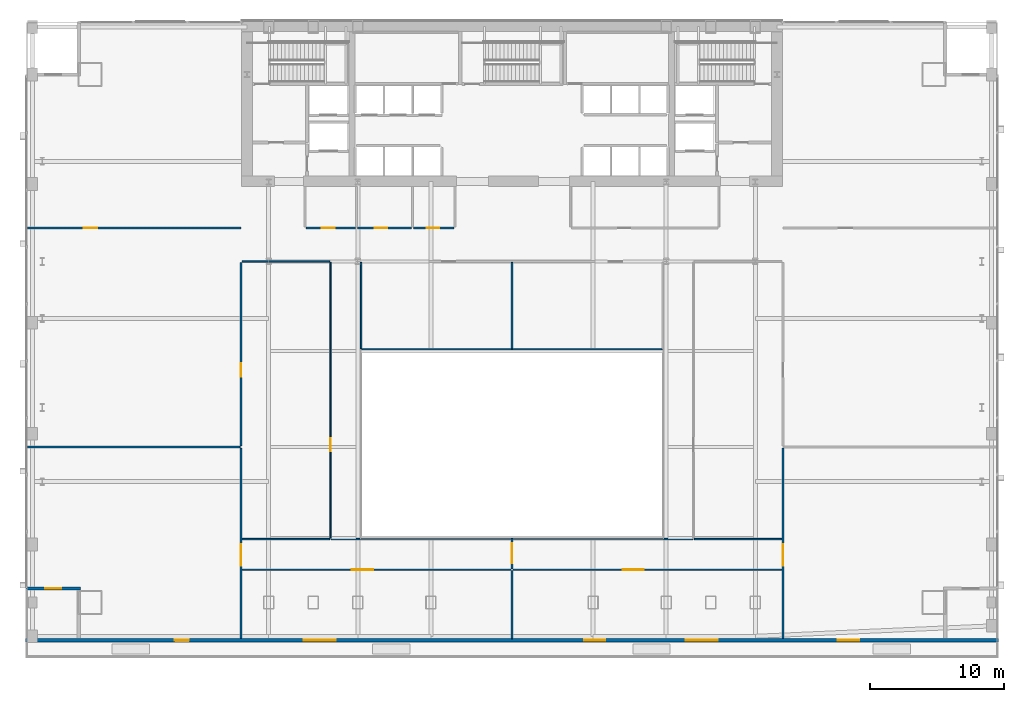
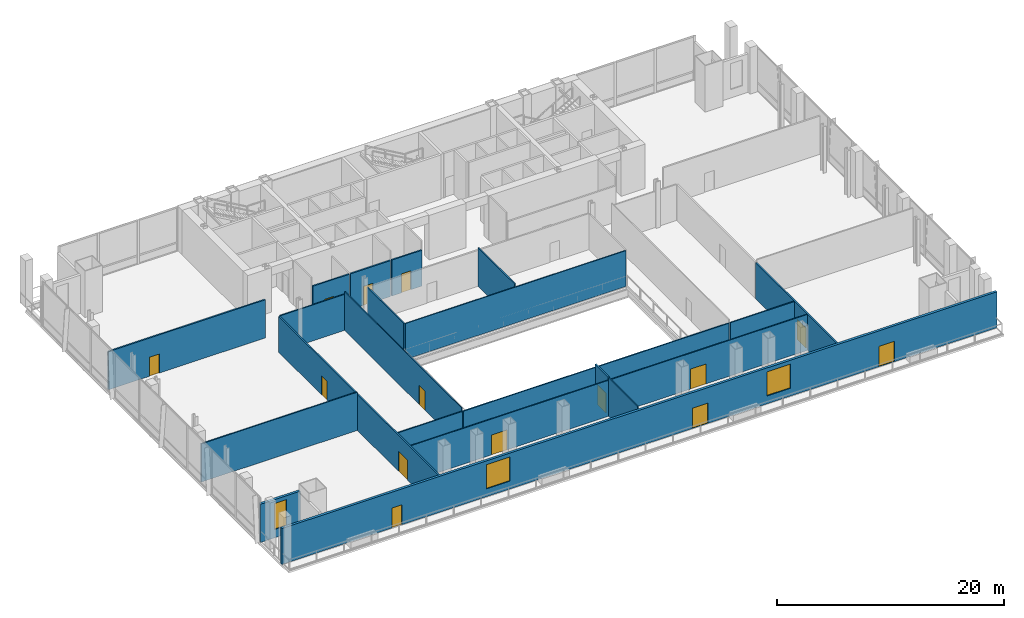
# One storey, part 19 of 25: 22 walls, 14 doors, 3 windows, 17 openings.
"""IFC4 building model written with IfcOpenShell, lengths in metres."""

import ifcopenshell
import ifcopenshell.guid

model = None  # the IFC model being written
_history = None  # IfcOwnerHistory: only IFC2X3 demands one
_inside = {}  # id of a spatial element -> (the spatial element, [elements in it])
_under = {}  # id of a project, library or spatial element -> (it, [spatial elements below it])
_declared = {}  # id of a project -> (the project, [libraries it declares])
_typed = {}  # id of a type object -> (the type object, [elements of that type])
_made_of = {}  # id of a material, layer set ... -> (it, [elements and type objects made of it])


def new_model(schema):
    """Start an empty IFC model of exactly this schema.

    Asked for "IFC4X3", IfcOpenShell would pick the latest addendum, in which some entities
    have other attributes; the version numbers below select the first issue.
    IFC2X3 requires an IfcOwnerHistory on every rooted entity: one is made here for all.
    """
    global model, _history
    if schema == "IFC4X3":
        model = ifcopenshell.file(schema_version=(4, 3, 0, 0))
    else:
        model = ifcopenshell.file(schema=schema)
    _inside.clear()
    _under.clear()
    _declared.clear()
    _typed.clear()
    _made_of.clear()
    _history = None
    if model.schema == "IFC2X3":
        org = make("IfcOrganization", Name="unknown")
        user = make(
            "IfcPersonAndOrganization",
            ThePerson=make("IfcPerson", FamilyName="unknown"),
            TheOrganization=org,
        )
        app = make(
            "IfcApplication",
            ApplicationDeveloper=org,
            Version="unknown",
            ApplicationFullName="unknown",
            ApplicationIdentifier="unknown",
        )
        _history = make(
            "IfcOwnerHistory",
            OwningUser=user,
            OwningApplication=app,
            ChangeAction="ADDED",
            CreationDate=0,
        )
    return model


def make(cls, **values):
    """One entity of the class cls with the attributes given. An attribute that is None is left unset."""
    return model.create_entity(
        cls, **{name: value for name, value in values.items() if value is not None}
    )


def rooted(cls, **values):
    """An entity with a GlobalId (a new one), such as an element, a storey or a relation."""
    return make(cls, GlobalId=ifcopenshell.guid.new(), OwnerHistory=_history, **values)


def si_unit(unit_type, name, prefix=None):
    """IfcSIUnit, for example si_unit("LENGTHUNIT", "METRE", prefix="MILLI")."""
    return make("IfcSIUnit", UnitType=unit_type, Prefix=prefix, Name=name)


def assignment(units):
    """IfcUnitAssignment: the units of a project."""
    return None if units is None else make("IfcUnitAssignment", Units=units)


def point(xyz):
    """IfcCartesianPoint."""
    return None if xyz is None else make("IfcCartesianPoint", Coordinates=xyz)


def direction(xyz):
    """IfcDirection."""
    return None if xyz is None else make("IfcDirection", DirectionRatios=xyz)


def frame(location, z_axis=None, x_axis=None):
    """IfcAxis2Placement3D, a coordinate frame: its origin and axes. An axis left out is left unset."""
    return make(
        "IfcAxis2Placement3D",
        Location=point(location),
        Axis=direction(z_axis),
        RefDirection=direction(x_axis),
    )


def frame_2d(location, x_axis=None):
    """IfcAxis2Placement2D, a coordinate frame in the plane: its origin and x axis."""
    return make(
        "IfcAxis2Placement2D", Location=point(location), RefDirection=direction(x_axis)
    )


def origin():
    """The frame at (0, 0, 0) with its axes left unset."""
    return frame((0.0, 0.0, 0.0))


def place(relative_to, where):
    """IfcLocalPlacement: puts the frame where relative to a parent placement (None: the world)."""
    return make(
        "IfcLocalPlacement", PlacementRelTo=relative_to, RelativePlacement=where
    )


def context(
    kind, dimensions, precision=None, world=None, true_north=None, identifier=None
):
    """IfcGeometricRepresentationContext, for example the 3D "Model" context."""
    return make(
        "IfcGeometricRepresentationContext",
        ContextIdentifier=identifier,
        ContextType=kind,
        CoordinateSpaceDimension=dimensions,
        Precision=precision,
        WorldCoordinateSystem=world,
        TrueNorth=true_north,
    )


def subcontext(parent, identifier, kind, view, scale=None):
    """IfcGeometricRepresentationSubContext, for example "Body" below "Model"."""
    return make(
        "IfcGeometricRepresentationSubContext",
        ContextIdentifier=identifier,
        ContextType=kind,
        ParentContext=parent,
        TargetScale=scale,
        TargetView=view,
    )


def project(units=None, contexts=None):
    """IfcProject with its units and contexts."""
    return rooted(
        "IfcProject",
        Name="project",
        RepresentationContexts=contexts,
        UnitsInContext=assignment(units),
    )


def spatial(cls, under=None, at=None, **own):
    """A site, building, storey or space (cls), placed at a placement, below another one or the project."""
    s = rooted(cls, ObjectPlacement=at, **own)
    if under is not None:
        _under.setdefault(under.id(), (under, []))[1].append(s)
    return s


def profile(cls, at=None, kind="AREA", **sizes):
    """A parametric profile (cls). Its sizes go by their IFC names, for example OverallWidth=200.0."""
    return make(cls, ProfileType=kind, Position=at, **sizes)


def rectangle(**sizes):
    """IfcRectangleProfileDef."""
    return profile("IfcRectangleProfileDef", **sizes)


def extrude(swept, where, along, depth):
    """IfcExtrudedAreaSolid: the profile swept, set in the frame where, extruded along a direction by depth."""
    return make(
        "IfcExtrudedAreaSolid",
        SweptArea=swept,
        Position=where,
        ExtrudedDirection=direction(along),
        Depth=depth,
    )


def shape(context_of_items, identifier, shape_type, items):
    """IfcShapeRepresentation: the items that make up one representation, for example the "Body"."""
    return make(
        "IfcShapeRepresentation",
        ContextOfItems=context_of_items,
        RepresentationIdentifier=identifier,
        RepresentationType=shape_type,
        Items=items,
    )


def material(Name=None, Category=None):
    """IfcMaterial."""
    return make("IfcMaterial", Name=Name, Category=Category)


def layer(
    of_material, thickness, ventilated=None, Name=None, Category=None, Priority=None
):
    """IfcMaterialLayer: one layer of a wall or slab, of a material (None: an air gap)."""
    return make(
        "IfcMaterialLayer",
        Material=of_material,
        LayerThickness=thickness,
        IsVentilated=ventilated,
        Name=Name,
        Category=Category,
        Priority=Priority,
    )


def layer_set(layers, Name=None):
    """IfcMaterialLayerSet."""
    return make("IfcMaterialLayerSet", MaterialLayers=layers, LayerSetName=Name)


def made_of(thing, what):
    """Note that an element or type object is made of a material, layer set ...; save() writes the relation."""
    if what is not None:
        _made_of.setdefault(what.id(), (what, []))[1].append(thing)
    return thing


def type_object(cls, material=None, **own):
    """A type object (cls), such as IfcWallType, which elements share."""
    return made_of(rooted(cls, **own), material)


def element(
    cls,
    number,
    at=None,
    inside=None,
    cuts=None,
    type_object=None,
    material=None,
    context=None,
    identifier="Body",
    shape_type=None,
    held_by="IfcProductDefinitionShape",
    body=None,
    shapes=None,
    **own,
):
    """One element of the class cls, such as IfcWall. Its Tag is "e" and its number.

    at: its placement. inside: the storey or other place that contains it. cuts: it is an
    opening in that element (IfcRelVoidsElement). A single representation is given by context,
    identifier, shape_type and body (its items); several are given by shapes. held_by: the class
    of the entity that holds the representations. save() writes the other relations.
    """
    e = rooted(cls, Tag="e%d" % number, ObjectPlacement=at, **own)
    if body is not None:
        shapes = [shape(context, identifier, shape_type, body)]
    if shapes is not None:
        e.Representation = make(held_by, Representations=shapes)
    if inside is not None:
        _inside.setdefault(inside.id(), (inside, []))[1].append(e)
    if cuts is not None:
        rooted(
            "IfcRelVoidsElement", RelatingBuildingElement=cuts, RelatedOpeningElement=e
        )
    if type_object is not None:
        _typed.setdefault(type_object.id(), (type_object, []))[1].append(e)
    return made_of(e, material)


def fill(opening, filler):
    """IfcRelFillsElement: the door or window that sits in an opening."""
    return rooted(
        "IfcRelFillsElement",
        RelatingOpeningElement=opening,
        RelatedBuildingElement=filler,
    )


def aggregate(whole, parts):
    """IfcRelAggregates: a whole, such as a stair, and the parts it consists of."""
    return rooted("IfcRelAggregates", RelatingObject=whole, RelatedObjects=parts)


def save(model, path):
    """Write the relations noted so far, then the file.

    IfcRelAggregates (storeys below a building ...), IfcRelContainedInSpatialStructure (elements
    in a storey), IfcRelDefinesByType, IfcRelAssociatesMaterial and IfcRelDeclares: one each for
    every whole, place, type object, material and project.
    """
    for whole, parts in _under.values():
        aggregate(whole, parts)
    for where, things in _inside.values():
        rooted(
            "IfcRelContainedInSpatialStructure",
            RelatedElements=things,
            RelatingStructure=where,
        )
    for kind, things in _typed.values():
        rooted("IfcRelDefinesByType", RelatedObjects=things, RelatingType=kind)
    for what, things in _made_of.values():
        rooted("IfcRelAssociatesMaterial", RelatedObjects=things, RelatingMaterial=what)
    for by, libraries in _declared.values():
        rooted("IfcRelDeclares", RelatingContext=by, RelatedDefinitions=libraries)
    model.write(path)


model = new_model("IFC4")

# Units and contexts
model_context = context("Model", 3, precision=1e-05, world=origin(), true_north=direction((0.0, 1.0)))
body_context = subcontext(model_context, "Body", "Model", "MODEL_VIEW")
ifc_project = project(units=[si_unit("LENGTHUNIT", "METRE"), si_unit("AREAUNIT", "SQUARE_METRE"), si_unit("VOLUMEUNIT", "CUBIC_METRE"), si_unit("PLANEANGLEUNIT", "RADIAN"), si_unit("MASSUNIT", "GRAM", prefix="KILO")], contexts=[model_context])

# Site, building, storey
site_placement = place(None, origin())
site = spatial("IfcSite", under=ifc_project, at=site_placement, CompositionType="ELEMENT")
building_placement = place(site_placement, origin())
building = spatial("IfcBuilding", under=site, at=building_placement, Name="Khoronbel Lancet Exchange", CompositionType="ELEMENT")
storey_placement = place(building_placement, frame((0.0, 0.0, 15.39990234375)))
storey = spatial("IfcBuildingStorey", under=building, at=storey_placement, Name="L03", CompositionType="ELEMENT", Elevation=15.39990234375)

# Wall, openings, doors, windows
ifc_material_1 = material(Name="Precast concrete C40/50", Category="concrete")
ifc_layer_1 = layer(ifc_material_1, 0.25, Name="Precast concrete C40/50")
ifc_layer_set_1 = layer_set([ifc_layer_1], Name="Precast concrete C40/50")
wall_type_1 = type_object("IfcWallType", Name="WL-EXT250", PredefinedType="SOLIDWALL", material=ifc_layer_set_1)
wall_1_placement = place(storey_placement, frame((72.89990234375, 7.324951171875, 0.0), z_axis=(0.0, 0.0, 1.0), x_axis=(-1.0, 0.0, 0.0)))
wall_1 = element("IfcWall", 1, at=wall_1_placement, inside=storey, type_object=wall_type_1, Name="Level L03 cascading south garden terrace wall", PredefinedType="SOLIDWALL", context=body_context, shape_type="SweptSolid", body=[
    extrude(rectangle(XDim=72.89990234375, YDim=0.25, at=frame_2d((36.449951171875, 0.0))), origin(), (0.0, 0.0, 1.0), 3.8701171875),
])
opening_1_placement = place(wall_1_placement, frame((10.449951171875, 0.0, 0.0)))
opening_1 = element("IfcOpeningElement", 2, at=opening_1_placement, cuts=wall_1, Name="Opening TD1", PredefinedType="OPENING", context=body_context, shape_type="SweptSolid", body=[
    extrude(rectangle(XDim=1.60009765625, YDim=2.199951171875, at=frame_2d((0.800048828125, 1.10009765625))), frame((0.0, 0.135009765625, 0.0), z_axis=(0.0, -1.0, 0.0), x_axis=(1.0, 0.0, 0.0)), (0.0, 0.0, 1.0), 0.27001953125),
])
opening_2_placement = place(wall_1_placement, frame((29.449951171875, 0.0, 0.0)))
opening_2 = element("IfcOpeningElement", 3, at=opening_2_placement, cuts=wall_1, Name="Opening TD1", PredefinedType="OPENING", context=body_context, shape_type="SweptSolid", body=[
    extrude(rectangle(XDim=1.60009765625, YDim=2.199951171875, at=frame_2d((0.800048828125, 1.10009765625))), frame((0.0, 0.135009765625, 0.0), z_axis=(0.0, -1.0, 0.0), x_axis=(1.0, 0.0, 0.0)), (0.0, 0.0, 1.0), 0.27001953125),
])
opening_3_placement = place(wall_1_placement, frame((60.64990234375, 0.0, 0.0)))
opening_3 = element("IfcOpeningElement", 4, at=opening_3_placement, cuts=wall_1, Name="Opening TD2", PredefinedType="OPENING", context=body_context, shape_type="SweptSolid", body=[
    extrude(rectangle(XDim=1.050048828125, YDim=2.14990234375, at=frame_2d((0.52490234375, 1.074951171875))), frame((0.0, 0.135009765625, 0.0), z_axis=(0.0, -1.0, 0.0), x_axis=(1.0, 0.0, 0.0)), (0.0, 0.0, 1.0), 0.27001953125),
])
opening_4_placement = place(wall_1_placement, frame((21.050048828125, 0.0, 0.85009765625)))
opening_4 = element("IfcOpeningElement", 5, at=opening_4_placement, cuts=wall_1, Name="Opening W3", PredefinedType="OPENING", context=body_context, shape_type="SweptSolid", body=[
    extrude(rectangle(XDim=2.39990234375, YDim=2.60009765625, at=frame_2d((1.199951171875, 1.300048828125))), frame((0.0, 0.135009765625, 0.0), z_axis=(0.0, -1.0, 0.0), x_axis=(1.0, 0.0, 0.0)), (0.0, 0.0, 1.0), 0.27001953125),
])
opening_5_placement = place(wall_1_placement, frame((49.64990234375, 0.0, 0.85009765625)))
opening_5 = element("IfcOpeningElement", 6, at=opening_5_placement, cuts=wall_1, Name="Opening W3", PredefinedType="OPENING", context=body_context, shape_type="SweptSolid", body=[
    extrude(rectangle(XDim=2.39990234375, YDim=2.60009765625, at=frame_2d((1.199951171875, 1.300048828125))), frame((0.0, 0.135009765625, 0.0), z_axis=(0.0, -1.0, 0.0), x_axis=(1.0, 0.0, 0.0)), (0.0, 0.0, 1.0), 0.27001953125),
])
ifc_material_2 = material(Name="Glazed Bronze-Anodised Aluminium Door Assembly", Category="aluminium")
door_type_1 = type_object("IfcDoorType", Name="DR-TD1", OperationType="NOTDEFINED", PredefinedType="DOOR", material=ifc_material_2)
door_1_placement = place(opening_1_placement, origin())
door_1 = element("IfcDoor", 7, at=door_1_placement, inside=storey, type_object=door_type_1, Name="Level L03 east garden terrace door", OperationType="DOUBLE_DOOR_SINGLE_SWING", OverallHeight=2.199951171875, OverallWidth=1.60009765625, PredefinedType="DOOR", context=body_context, shape_type="SweptSolid", body=[
    extrude(rectangle(XDim=1.60009765625, YDim=2.199951171875, at=frame_2d((0.800048828125, 1.10009765625))), frame((0.0, 0.02490234375, 0.0), z_axis=(0.0, -1.0, 0.0), x_axis=(1.0, 0.0, 0.0)), (0.0, 0.0, 1.0), 0.050048828125),
])
fill(opening_1, door_1)
door_2_placement = place(opening_2_placement, origin())
door_2 = element("IfcDoor", 8, at=door_2_placement, inside=storey, type_object=door_type_1, Name="Level L03 central garden terrace door", OperationType="DOUBLE_DOOR_SINGLE_SWING", OverallHeight=2.199951171875, OverallWidth=1.60009765625, PredefinedType="DOOR", context=body_context, shape_type="SweptSolid", body=[
    extrude(rectangle(XDim=1.60009765625, YDim=2.199951171875, at=frame_2d((0.800048828125, 1.10009765625))), frame((0.0, 0.02490234375, 0.0), z_axis=(0.0, -1.0, 0.0), x_axis=(1.0, 0.0, 0.0)), (0.0, 0.0, 1.0), 0.050048828125),
])
fill(opening_2, door_2)
door_type_2 = type_object("IfcDoorType", Name="DR-TD2", OperationType="NOTDEFINED", PredefinedType="DOOR", material=ifc_material_2)
door_3_placement = place(opening_3_placement, origin())
door_3 = element("IfcDoor", 9, at=door_3_placement, inside=storey, type_object=door_type_2, Name="Level L03 west garden terrace door", OperationType="SINGLE_SWING_LEFT", OverallHeight=2.14990234375, OverallWidth=1.050048828125, PredefinedType="DOOR", context=body_context, shape_type="SweptSolid", body=[
    extrude(rectangle(XDim=1.050048828125, YDim=2.14990234375, at=frame_2d((0.52490234375, 1.074951171875))), frame((0.0, 0.02490234375, 0.0), z_axis=(0.0, -1.0, 0.0), x_axis=(1.0, 0.0, 0.0)), (0.0, 0.0, 1.0), 0.050048828125),
])
fill(opening_3, door_3)
ifc_material_3 = material(Name="Low-E Solar Control Insulating Glass", Category="glass")
window_type_1 = type_object("IfcWindowType", Name="WIN-W3", PartitioningType="SINGLE_PANEL", PredefinedType="WINDOW", material=ifc_material_3)
window_1_placement = place(opening_4_placement, origin())
window_1 = element("IfcWindow", 10, at=window_1_placement, inside=storey, type_object=window_type_1, Name="WIN-L03-TERR-1", OverallHeight=2.60009765625, OverallWidth=2.39990234375, PartitioningType="SINGLE_PANEL", PredefinedType="WINDOW", context=body_context, shape_type="SweptSolid", body=[
    extrude(rectangle(XDim=2.39990234375, YDim=2.60009765625, at=frame_2d((1.199951171875, 1.300048828125))), frame((0.0, 0.030029296875, 0.0), z_axis=(0.0, -1.0, 0.0), x_axis=(1.0, 0.0, 0.0)), (0.0, 0.0, 1.0), 0.06005859375),
])
fill(opening_4, window_1)
window_2_placement = place(opening_5_placement, origin())
window_2 = element("IfcWindow", 11, at=window_2_placement, inside=storey, type_object=window_type_1, Name="WIN-L03-TERR-2", OverallHeight=2.60009765625, OverallWidth=2.39990234375, PartitioningType="SINGLE_PANEL", PredefinedType="WINDOW", context=body_context, shape_type="SweptSolid", body=[
    extrude(rectangle(XDim=2.39990234375, YDim=2.60009765625, at=frame_2d((1.199951171875, 1.300048828125))), frame((0.0, 0.030029296875, 0.0), z_axis=(0.0, -1.0, 0.0), x_axis=(1.0, 0.0, 0.0)), (0.0, 0.0, 1.0), 0.06005859375),
])
fill(opening_5, window_2)

# Wall, opening, window
wall_2_placement = place(storey_placement, frame((4.125, 11.199951171875, 0.0), z_axis=(0.0, 0.0, 1.0), x_axis=(-1.0, 0.0, 0.0)))
wall_2 = element("IfcWall", 12, at=wall_2_placement, inside=storey, type_object=wall_type_1, Name="Level L03 corner notch exterior wall SWL3", PredefinedType="SOLIDWALL", context=body_context, shape_type="SweptSolid", body=[
    extrude(rectangle(XDim=4.044921875, YDim=0.25, at=frame_2d((2.0224609375, 0.0))), origin(), (0.0, 0.0, 1.0), 4.1201171875),
])
opening_6_placement = place(wall_2_placement, frame((1.422607421875, 0.0, 0.89990234375)))
opening_6 = element("IfcOpeningElement", 13, at=opening_6_placement, cuts=wall_2, Name="Opening W2", PredefinedType="OPENING", context=body_context, shape_type="SweptSolid", body=[
    extrude(rectangle(XDim=1.199951171875, YDim=2.800048828125, at=frame_2d((0.60009765625, 1.39990234375))), frame((0.0, 0.135009765625, 0.0), z_axis=(0.0, -1.0, 0.0), x_axis=(1.0, 0.0, 0.0)), (0.0, 0.0, 1.0), 0.27001953125),
])
window_type_2 = type_object("IfcWindowType", Name="WIN-W2", PartitioningType="SINGLE_PANEL", PredefinedType="WINDOW", material=ifc_material_3)
window_3_placement = place(opening_6_placement, origin())
window_3 = element("IfcWindow", 14, at=window_3_placement, inside=storey, type_object=window_type_2, Name="WIN-L03-SWL3", OverallHeight=2.800048828125, OverallWidth=1.199951171875, PartitioningType="SINGLE_PANEL", PredefinedType="WINDOW", context=body_context, shape_type="SweptSolid", body=[
    extrude(rectangle(XDim=1.199951171875, YDim=2.800048828125, at=frame_2d((0.60009765625, 1.39990234375))), frame((0.0, 0.030029296875, 0.0), z_axis=(0.0, -1.0, 0.0), x_axis=(1.0, 0.0, 0.0)), (0.0, 0.0, 1.0), 0.06005859375),
])
fill(opening_6, window_3)

# Wall, opening, door
ifc_material_4 = material(Name="Demountable Bronze-Framed Acoustic Glass Partition 100 mm", Category="glass")
ifc_layer_2 = layer(ifc_material_4, 0.10009765625, Name="Demountable Bronze-Framed Acoustic Glass Partition 100 mm")
ifc_layer_set_2 = layer_set([ifc_layer_2], Name="Demountable Bronze-Framed Acoustic Glass Partition 100 mm")
wall_type_2 = type_object("IfcWallType", Name="WL-MOV100", PredefinedType="MOVABLE", material=ifc_layer_set_2)
wall_3_placement = place(storey_placement, frame((16.239990234375, 12.60009765625, 0.0), z_axis=(0.0, 0.0, 1.0), x_axis=(1.0, 0.0, 0.0)))
wall_3 = element("IfcWall", 15, at=wall_3_placement, inside=storey, type_object=wall_type_2, Name="Level L03 interior partition PW-PD-SS1", PredefinedType="MOVABLE", context=body_context, shape_type="SweptSolid", body=[
    extrude(rectangle(XDim=20.130126953125, YDim=0.10009765625, at=frame_2d((10.06494140625, 0.0))), origin(), (0.0, 0.0, 1.0), 3.8701171875),
])
opening_7_placement = place(wall_3_placement, frame((8.199951171875, 0.0, 0.0)))
opening_7 = element("IfcOpeningElement", 16, at=opening_7_placement, cuts=wall_3, Name="Opening D9", PredefinedType="OPENING", context=body_context, shape_type="SweptSolid", body=[
    extrude(rectangle(XDim=1.60009765625, YDim=2.14990234375, at=frame_2d((0.800048828125, 1.074951171875))), frame((0.0, 0.06005859375, 0.0), z_axis=(0.0, -1.0, 0.0), x_axis=(1.0, 0.0, 0.0)), (0.0, 0.0, 1.0), 0.1201171875),
])
ifc_material_5 = material(Name="Glazed Bronze-Framed Double Hall Door", Category="aluminium")
door_type_3 = type_object("IfcDoorType", Name="DR-D9", OperationType="NOTDEFINED", PredefinedType="DOOR", material=ifc_material_5)
door_4_placement = place(opening_7_placement, origin())
door_4 = element("IfcDoor", 17, at=door_4_placement, inside=storey, type_object=door_type_3, Name="South terrace operations office door L03-1", OperationType="DOUBLE_DOOR_SINGLE_SWING", OverallHeight=2.14990234375, OverallWidth=1.60009765625, PredefinedType="DOOR", context=body_context, shape_type="SweptSolid", body=[
    extrude(rectangle(XDim=1.60009765625, YDim=2.14990234375, at=frame_2d((0.800048828125, 1.074951171875))), frame((0.0, 0.02490234375, 0.0), z_axis=(0.0, -1.0, 0.0), x_axis=(1.0, 0.0, 0.0)), (0.0, 0.0, 1.0), 0.050048828125),
])
fill(opening_7, door_4)

wall_4_placement = place(storey_placement, frame((36.530029296875, 12.60009765625, 0.0), z_axis=(0.0, 0.0, 1.0), x_axis=(1.0, 0.0, 0.0)))
wall_4 = element("IfcWall", 18, at=wall_4_placement, inside=storey, type_object=wall_type_2, Name="Level L03 interior partition PW-PD-SS2", PredefinedType="MOVABLE", context=body_context, shape_type="SweptSolid", body=[
    extrude(rectangle(XDim=20.1298828125, YDim=0.10009765625, at=frame_2d((10.06494140625, 0.0))), origin(), (0.0, 0.0, 1.0), 3.8701171875),
])
opening_8_placement = place(wall_4_placement, frame((8.199951171875, 0.0, 0.0)))
opening_8 = element("IfcOpeningElement", 19, at=opening_8_placement, cuts=wall_4, Name="Opening D9", PredefinedType="OPENING", context=body_context, shape_type="SweptSolid", body=[
    extrude(rectangle(XDim=1.60009765625, YDim=2.14990234375, at=frame_2d((0.800048828125, 1.074951171875))), frame((0.0, 0.06005859375, 0.0), z_axis=(0.0, -1.0, 0.0), x_axis=(1.0, 0.0, 0.0)), (0.0, 0.0, 1.0), 0.1201171875),
])
door_5_placement = place(opening_8_placement, origin())
door_5 = element("IfcDoor", 20, at=door_5_placement, inside=storey, type_object=door_type_3, Name="South terrace custody office door L03-1", OperationType="DOUBLE_DOOR_SINGLE_SWING", OverallHeight=2.14990234375, OverallWidth=1.60009765625, PredefinedType="DOOR", context=body_context, shape_type="SweptSolid", body=[
    extrude(rectangle(XDim=1.60009765625, YDim=2.14990234375, at=frame_2d((0.800048828125, 1.074951171875))), frame((0.0, 0.02490234375, 0.0), z_axis=(0.0, -1.0, 0.0), x_axis=(1.0, 0.0, 0.0)), (0.0, 0.0, 1.0), 0.050048828125),
])
fill(opening_8, door_5)

# Wall
wall_5_placement = place(storey_placement, frame((25.215087890625, 29.1201171875, 0.0), z_axis=(0.0, 0.0, 1.0), x_axis=(1.0, 0.0, 0.0)))
element("IfcWall", 21, at=wall_5_placement, inside=storey, type_object=wall_type_2, Name="Level L03 interior partition PW-PD-NS1", PredefinedType="MOVABLE", context=body_context, shape_type="SweptSolid", body=[
    extrude(rectangle(XDim=22.469970703125, YDim=0.10009765625, at=frame_2d((11.23486328125, 0.0))), origin(), (0.0, 0.0, 1.0), 3.8701171875),
])

# Wall, opening, door
wall_6_placement = place(storey_placement, frame((22.85009765625, 14.965087890625, 0.0), z_axis=(0.0, 0.0, 1.0), x_axis=(0.0, 1.0, 0.0)))
wall_6 = element("IfcWall", 22, at=wall_6_placement, inside=storey, type_object=wall_type_2, Name="Level L03 interior partition PW-PD-MWE", PredefinedType="MOVABLE", context=body_context, shape_type="SweptSolid", body=[
    extrude(rectangle(XDim=20.669921875, YDim=0.10009765625, at=frame_2d((10.3349609375, 0.0))), origin(), (0.0, 0.0, 1.0), 4.170166015625),
])
opening_9_placement = place(wall_6_placement, frame((6.5, 0.0, 0.0)))
opening_9 = element("IfcOpeningElement", 23, at=opening_9_placement, cuts=wall_6, Name="Opening D8", PredefinedType="OPENING", context=body_context, shape_type="SweptSolid", body=[
    extrude(rectangle(XDim=1.0, YDim=2.050048828125, at=frame_2d((0.5, 1.02490234375))), frame((0.0, 0.06005859375, 0.0), z_axis=(0.0, -1.0, 0.0), x_axis=(1.0, 0.0, 0.0)), (0.0, 0.0, 1.0), 0.1201171875),
])
ifc_material_6 = material(Name="Acoustic Bronze-Framed Glass Suite Door", Category="glass")
door_type_4 = type_object("IfcDoorType", Name="DR-D8", OperationType="NOTDEFINED", PredefinedType="DOOR", material=ifc_material_6)
door_6_placement = place(opening_9_placement, origin())
door_6 = element("IfcDoor", 24, at=door_6_placement, inside=storey, type_object=door_type_4, Name="West mezzanine brokerage office door L03-1", OperationType="SINGLE_SWING_RIGHT", OverallHeight=2.050048828125, OverallWidth=1.0, PredefinedType="DOOR", context=body_context, shape_type="SweptSolid", body=[
    extrude(rectangle(XDim=1.0, YDim=2.050048828125, at=frame_2d((0.5, 1.02490234375))), frame((0.0, 0.02490234375, 0.0), z_axis=(0.0, -1.0, 0.0), x_axis=(1.0, 0.0, 0.0)), (0.0, 0.0, 1.0), 0.050048828125),
])
fill(opening_9, door_6)

# Walls
ifc_material_7 = material(Name="Acoustic Metal-Stud & Mineral-Wool Gypsum Partition 120 mm", Category="gypsum")
ifc_layer_3 = layer(ifc_material_7, 0.1201171875, Name="Acoustic Metal-Stud & Mineral-Wool Gypsum Partition 120 mm")
ifc_layer_set_3 = layer_set([ifc_layer_3], Name="Acoustic Metal-Stud & Mineral-Wool Gypsum Partition 120 mm")
wall_type_3 = type_object("IfcWallType", Name="WL-PRT120", PredefinedType="PARTITIONING", material=ifc_layer_set_3)
wall_7_placement = place(storey_placement, frame((0.179931640625, 21.800048828125, 0.0), z_axis=(0.0, 0.0, 1.0), x_axis=(1.0, 0.0, 0.0)))
element("IfcWall", 25, at=wall_7_placement, inside=storey, type_object=wall_type_3, Name="Level L03 interior partition PW-PD-WH", PredefinedType="PARTITIONING", context=body_context, shape_type="SweptSolid", body=[
    extrude(rectangle(XDim=15.900146484375, YDim=0.1201171875, at=frame_2d((7.9501953125, 0.0))), origin(), (0.0, 0.0, 1.0), 4.1201171875),
])
wall_8_placement = place(storey_placement, frame((36.449951171875, 7.449951171875, 0.0), z_axis=(0.0, 0.0, 1.0), x_axis=(0.0, 1.0, 0.0)))
element("IfcWall", 26, at=wall_8_placement, inside=storey, type_object=wall_type_3, Name="Level L03 interior partition PW-PD-SSV", PredefinedType="PARTITIONING", context=body_context, shape_type="SweptSolid", body=[
    extrude(rectangle(XDim=5.094970703125, YDim=0.1201171875, at=frame_2d((2.54736328125, 0.0))), origin(), (0.0, 0.0, 1.0), 4.1201171875),
])
wall_9_placement = place(storey_placement, frame((36.449951171875, 29.175048828125, 0.0), z_axis=(0.0, 0.0, 1.0), x_axis=(0.0, 1.0, 0.0)))
element("IfcWall", 27, at=wall_9_placement, inside=storey, type_object=wall_type_3, Name="Level L03 interior partition PW-PD-NSV", PredefinedType="PARTITIONING", context=body_context, shape_type="SweptSolid", body=[
    extrude(rectangle(XDim=6.445068359375, YDim=0.1201171875, at=frame_2d((3.22265625, 0.0))), origin(), (0.0, 0.0, 1.0), 4.170166015625),
])
wall_10_placement = place(storey_placement, frame((25.14990234375, 29.175048828125, 0.0), z_axis=(0.0, 0.0, 1.0), x_axis=(0.0, 1.0, 0.0)))
element("IfcWall", 28, at=wall_10_placement, inside=storey, type_object=wall_type_3, Name="Level L03 interior partition PW-PD-NSW", PredefinedType="PARTITIONING", context=body_context, shape_type="SweptSolid", body=[
    extrude(rectangle(XDim=6.445068359375, YDim=0.1201171875, at=frame_2d((3.22265625, 0.0))), origin(), (0.0, 0.0, 1.0), 3.8701171875),
])
for number, where, z_axis, x_axis, name in (
    (29, (16.239990234375, 14.89990234375, 0.0), (0.0, 0.0, 1.0), (1.0, 0.0, 0.0), "Level L03 interior partition PW-PD-MWN"),
    (30, (16.239990234375, 35.699951171875, 0.0), (0.0, 0.0, 1.0), (1.0, 0.0, 0.0), "Level L03 interior partition PW-PD-MWS"),
    (31, (50.10498046875, 14.89990234375, 0.0), (0.0, 0.0, 1.0), (1.0, 0.0, 0.0), "Level L03 interior partition PW-PD-MEN"),
):
    element("IfcWall", number, at=place(storey_placement, frame(where, z_axis=z_axis, x_axis=x_axis)), inside=storey, type_object=wall_type_3, Name=name, PredefinedType="PARTITIONING", context=body_context, shape_type="SweptSolid", body=[
        extrude(rectangle(XDim=6.554931640625, YDim=0.1201171875, at=frame_2d((3.27734375, 0.0))), origin(), (0.0, 0.0, 1.0), 3.8701171875),
    ])
wall_11_placement = place(storey_placement, frame((22.905029296875, 14.89990234375, 0.0), z_axis=(0.0, 0.0, 1.0), x_axis=(1.0, 0.0, 0.0)))
element("IfcWall", 32, at=wall_11_placement, inside=storey, type_object=wall_type_3, Name="Level L03 interior partition PW-PD-ATRS", PredefinedType="PARTITIONING", context=body_context, shape_type="SweptSolid", body=[
    extrude(rectangle(XDim=27.090087890625, YDim=0.1201171875, at=frame_2d((13.544921875, 0.0))), origin(), (0.0, 0.0, 1.0), 3.8701171875),
])

# Wall, opening, door
ifc_material_8 = material(Name="Fire-Rated Twin-Stud Acoustic Gypsum Partition 150 mm", Category="gypsum")
ifc_layer_4 = layer(ifc_material_8, 0.14990234375, Name="Fire-Rated Twin-Stud Acoustic Gypsum Partition 150 mm")
ifc_layer_set_4 = layer_set([ifc_layer_4], Name="Fire-Rated Twin-Stud Acoustic Gypsum Partition 150 mm")
wall_type_4 = type_object("IfcWallType", Name="WL-PRT150C", PredefinedType="PARTITIONING", material=ifc_layer_set_4)
wall_12_placement = place(storey_placement, frame((16.159912109375, 7.449951171875, 0.0), z_axis=(0.0, 0.0, 1.0), x_axis=(0.0, 1.0, 0.0)))
wall_12 = element("IfcWall", 33, at=wall_12_placement, inside=storey, type_object=wall_type_4, Name="Level L03 interior partition PW-PD-WE1", PredefinedType="PARTITIONING", context=body_context, shape_type="SweptSolid", body=[
    extrude(rectangle(XDim=14.28515625, YDim=0.14990234375, at=frame_2d((7.142578125, 0.0))), origin(), (0.0, 0.0, 1.0), 3.8701171875),
])
opening_10_placement = place(wall_12_placement, frame((5.449951171875, 0.0, 0.0)))
opening_10 = element("IfcOpeningElement", 34, at=opening_10_placement, cuts=wall_12, Name="Opening D3", PredefinedType="OPENING", context=body_context, shape_type="SweptSolid", body=[
    extrude(rectangle(XDim=1.60009765625, YDim=2.14990234375, at=frame_2d((0.800048828125, 1.074951171875))), frame((0.0, 0.0849609375, 0.0), z_axis=(0.0, -1.0, 0.0), x_axis=(1.0, 0.0, 0.0)), (0.0, 0.0, 1.0), 0.169921875),
])
ifc_material_9 = material(Name="Glazed Bronze-Framed Double Suite Door", Category="aluminium")
door_type_5 = type_object("IfcDoorType", Name="DR-D3", OperationType="NOTDEFINED", PredefinedType="DOOR", material=ifc_material_9)
door_7_placement = place(opening_10_placement, origin())
door_7 = element("IfcDoor", 35, at=door_7_placement, inside=storey, type_object=door_type_5, Name="West podium clearing suite door L03-1", OperationType="DOUBLE_DOOR_SINGLE_SWING", OverallHeight=2.14990234375, OverallWidth=1.60009765625, PredefinedType="DOOR", context=body_context, shape_type="SweptSolid", body=[
    extrude(rectangle(XDim=1.60009765625, YDim=2.14990234375, at=frame_2d((0.800048828125, 1.074951171875))), frame((0.0, 0.02490234375, 0.0), z_axis=(0.0, -1.0, 0.0), x_axis=(1.0, 0.0, 0.0)), (0.0, 0.0, 1.0), 0.050048828125),
])
fill(opening_10, door_7)

wall_13_placement = place(storey_placement, frame((16.159912109375, 21.864990234375, 0.0), z_axis=(0.0, 0.0, 1.0), x_axis=(0.0, 1.0, 0.0)))
wall_13 = element("IfcWall", 36, at=wall_13_placement, inside=storey, type_object=wall_type_4, Name="Level L03 interior partition PW-PD-WE2", PredefinedType="PARTITIONING", context=body_context, shape_type="SweptSolid", body=[
    extrude(rectangle(XDim=13.77001953125, YDim=0.14990234375, at=frame_2d((6.885009765625, 0.0))), origin(), (0.0, 0.0, 1.0), 3.8701171875),
])
opening_11_placement = place(wall_13_placement, frame((5.199951171875, 0.0, 0.0)))
opening_11 = element("IfcOpeningElement", 37, at=opening_11_placement, cuts=wall_13, Name="Opening D2", PredefinedType="OPENING", context=body_context, shape_type="SweptSolid", body=[
    extrude(rectangle(XDim=1.0, YDim=2.050048828125, at=frame_2d((0.5, 1.02490234375))), frame((0.0, 0.0849609375, 0.0), z_axis=(0.0, -1.0, 0.0), x_axis=(1.0, 0.0, 0.0)), (0.0, 0.0, 1.0), 0.169921875),
])
ifc_material_10 = material(Name="Acoustic Veneered Timber & Bronze Frame Door", Category="wood")
door_type_6 = type_object("IfcDoorType", Name="DR-D2", OperationType="NOTDEFINED", PredefinedType="DOOR", material=ifc_material_10)
door_8_placement = place(opening_11_placement, origin())
door_8 = element("IfcDoor", 38, at=door_8_placement, inside=storey, type_object=door_type_6, Name="West podium valuation office door L03-1", OperationType="SINGLE_SWING_RIGHT", OverallHeight=2.050048828125, OverallWidth=1.0, PredefinedType="DOOR", context=body_context, shape_type="SweptSolid", body=[
    extrude(rectangle(XDim=1.0, YDim=2.050048828125, at=frame_2d((0.5, 1.02490234375))), frame((0.0, 0.02490234375, 0.0), z_axis=(0.0, -1.0, 0.0), x_axis=(1.0, 0.0, 0.0)), (0.0, 0.0, 1.0), 0.050048828125),
])
fill(opening_11, door_8)

wall_14_placement = place(storey_placement, frame((56.739990234375, 7.449951171875, 0.0), z_axis=(0.0, 0.0, 1.0), x_axis=(0.0, 1.0, 0.0)))
wall_14 = element("IfcWall", 39, at=wall_14_placement, inside=storey, type_object=wall_type_4, Name="Level L03 interior partition PW-PD-EW1", PredefinedType="PARTITIONING", context=body_context, shape_type="SweptSolid", body=[
    extrude(rectangle(XDim=14.28515625, YDim=0.14990234375, at=frame_2d((7.142578125, 0.0))), origin(), (0.0, 0.0, 1.0), 3.8701171875),
])
opening_12_placement = place(wall_14_placement, frame((5.449951171875, 0.0, 0.0)))
opening_12 = element("IfcOpeningElement", 40, at=opening_12_placement, cuts=wall_14, Name="Opening D3", PredefinedType="OPENING", context=body_context, shape_type="SweptSolid", body=[
    extrude(rectangle(XDim=1.60009765625, YDim=2.14990234375, at=frame_2d((0.800048828125, 1.074951171875))), frame((0.0, 0.0849609375, 0.0), z_axis=(0.0, -1.0, 0.0), x_axis=(1.0, 0.0, 0.0)), (0.0, 0.0, 1.0), 0.169921875),
])
door_9_placement = place(opening_12_placement, origin())
door_9 = element("IfcDoor", 41, at=door_9_placement, inside=storey, type_object=door_type_5, Name="East podium clearing office door L03-1", OperationType="DOUBLE_DOOR_SINGLE_SWING", OverallHeight=2.14990234375, OverallWidth=1.60009765625, PredefinedType="DOOR", context=body_context, shape_type="SweptSolid", body=[
    extrude(rectangle(XDim=1.60009765625, YDim=2.14990234375, at=frame_2d((0.800048828125, 1.074951171875))), frame((0.0, 0.02490234375, 0.0), z_axis=(0.0, -1.0, 0.0), x_axis=(1.0, 0.0, 0.0)), (0.0, 0.0, 1.0), 0.050048828125),
])
fill(opening_12, door_9)

wall_15_placement = place(storey_placement, frame((21.014892578125, 38.199951171875, 0.0), z_axis=(0.0, 0.0, 1.0), x_axis=(1.0, 0.0, 0.0)))
wall_15 = element("IfcWall", 42, at=wall_15_placement, inside=storey, type_object=wall_type_4, Name="Level L03 interior partition PW-PD-WCS1", PredefinedType="PARTITIONING", context=body_context, shape_type="SweptSolid", body=[
    extrude(rectangle(XDim=3.72021484375, YDim=0.14990234375, at=frame_2d((1.860107421875, 0.0))), origin(), (0.0, 0.0, 1.0), 3.8701171875),
])
opening_13_placement = place(wall_15_placement, frame((1.199951171875, 0.0, 0.0)))
opening_13 = element("IfcOpeningElement", 43, at=opening_13_placement, cuts=wall_15, Name="Opening D4", PredefinedType="OPENING", context=body_context, shape_type="SweptSolid", body=[
    extrude(rectangle(XDim=0.949951171875, YDim=2.050048828125, at=frame_2d((0.47509765625, 1.02490234375))), frame((0.0, 0.0849609375, 0.0), z_axis=(0.0, -1.0, 0.0), x_axis=(1.0, 0.0, 0.0)), (0.0, 0.0, 1.0), 0.169921875),
])
ifc_material_11 = material(Name="Moisture-Resistant HPL Washroom Door", Category="wood")
door_type_7 = type_object("IfcDoorType", Name="DR-D4", OperationType="NOTDEFINED", PredefinedType="DOOR", material=ifc_material_11)
door_10_placement = place(opening_13_placement, origin())
door_10 = element("IfcDoor", 44, at=door_10_placement, inside=storey, type_object=door_type_7, Name="Podium male WC door L03-1", OperationType="SINGLE_SWING_RIGHT", OverallHeight=2.050048828125, OverallWidth=0.949951171875, PredefinedType="DOOR", context=body_context, shape_type="SweptSolid", body=[
    extrude(rectangle(XDim=0.949951171875, YDim=2.050048828125, at=frame_2d((0.47509765625, 1.02490234375))), frame((0.0, 0.02490234375, 0.0), z_axis=(0.0, -1.0, 0.0), x_axis=(1.0, 0.0, 0.0)), (0.0, 0.0, 1.0), 0.050048828125),
])
fill(opening_13, door_10)

wall_16_placement = place(storey_placement, frame((24.864990234375, 38.199951171875, 0.0), z_axis=(0.0, 0.0, 1.0), x_axis=(1.0, 0.0, 0.0)))
wall_16 = element("IfcWall", 45, at=wall_16_placement, inside=storey, type_object=wall_type_4, Name="Level L03 interior partition PW-PD-WCS2", PredefinedType="PARTITIONING", context=body_context, shape_type="SweptSolid", body=[
    extrude(rectangle(XDim=4.070068359375, YDim=0.14990234375, at=frame_2d((2.03515625, 0.0))), origin(), (0.0, 0.0, 1.0), 3.8701171875),
])
opening_14_placement = place(wall_16_placement, frame((1.300048828125, 0.0, 0.0)))
opening_14 = element("IfcOpeningElement", 46, at=opening_14_placement, cuts=wall_16, Name="Opening D4", PredefinedType="OPENING", context=body_context, shape_type="SweptSolid", body=[
    extrude(rectangle(XDim=0.949951171875, YDim=2.050048828125, at=frame_2d((0.47509765625, 1.02490234375))), frame((0.0, 0.0849609375, 0.0), z_axis=(0.0, -1.0, 0.0), x_axis=(1.0, 0.0, 0.0)), (0.0, 0.0, 1.0), 0.169921875),
])
door_11_placement = place(opening_14_placement, origin())
door_11 = element("IfcDoor", 47, at=door_11_placement, inside=storey, type_object=door_type_7, Name="Podium female WC door L03-1", OperationType="SINGLE_SWING_LEFT", OverallHeight=2.050048828125, OverallWidth=0.949951171875, PredefinedType="DOOR", context=body_context, shape_type="SweptSolid", body=[
    extrude(rectangle(XDim=0.949951171875, YDim=2.050048828125, at=frame_2d((0.47509765625, 1.02490234375))), frame((0.0, 0.02490234375, 0.0), z_axis=(0.0, -1.0, 0.0), x_axis=(1.0, 0.0, 0.0)), (0.0, 0.0, 1.0), 0.050048828125),
])
fill(opening_14, door_11)

wall_17_placement = place(storey_placement, frame((29.06494140625, 38.199951171875, 0.0), z_axis=(0.0, 0.0, 1.0), x_axis=(1.0, 0.0, 0.0)))
wall_17 = element("IfcWall", 48, at=wall_17_placement, inside=storey, type_object=wall_type_4, Name="Level L03 interior partition PW-PD-WCS3", PredefinedType="PARTITIONING", context=body_context, shape_type="SweptSolid", body=[
    extrude(rectangle(XDim=3.050048828125, YDim=0.14990234375, at=frame_2d((1.52490234375, 0.0))), origin(), (0.0, 0.0, 1.0), 3.8701171875),
])
opening_15_placement = place(wall_17_placement, frame((1.0, 0.0, 0.0)))
opening_15 = element("IfcOpeningElement", 49, at=opening_15_placement, cuts=wall_17, Name="Opening D4", PredefinedType="OPENING", context=body_context, shape_type="SweptSolid", body=[
    extrude(rectangle(XDim=0.949951171875, YDim=2.050048828125, at=frame_2d((0.47509765625, 1.02490234375))), frame((0.0, 0.0849609375, 0.0), z_axis=(0.0, -1.0, 0.0), x_axis=(1.0, 0.0, 0.0)), (0.0, 0.0, 1.0), 0.169921875),
])
door_12_placement = place(opening_15_placement, origin())
door_12 = element("IfcDoor", 50, at=door_12_placement, inside=storey, type_object=door_type_7, Name="Podium accessible WC door L03-1", OperationType="SINGLE_SWING_RIGHT", OverallHeight=2.050048828125, OverallWidth=0.949951171875, PredefinedType="DOOR", context=body_context, shape_type="SweptSolid", body=[
    extrude(rectangle(XDim=0.949951171875, YDim=2.050048828125, at=frame_2d((0.47509765625, 1.02490234375))), frame((0.0, 0.02490234375, 0.0), z_axis=(0.0, -1.0, 0.0), x_axis=(1.0, 0.0, 0.0)), (0.0, 0.0, 1.0), 0.050048828125),
])
fill(opening_15, door_12)

wall_18_placement = place(storey_placement, frame((0.179931640625, 38.199951171875, 0.0), z_axis=(0.0, 0.0, 1.0), x_axis=(1.0, 0.0, 0.0)))
wall_18 = element("IfcWall", 51, at=wall_18_placement, inside=storey, type_object=wall_type_4, Name="Level L03 interior partition PW-PD-NW", PredefinedType="PARTITIONING", context=body_context, shape_type="SweptSolid", body=[
    extrude(rectangle(XDim=15.97998046875, YDim=0.14990234375, at=frame_2d((7.989990234375, 0.0))), origin(), (0.0, 0.0, 1.0), 4.1201171875),
])
opening_16_placement = place(wall_18_placement, frame((4.199951171875, 0.0, 0.0)))
opening_16 = element("IfcOpeningElement", 52, at=opening_16_placement, cuts=wall_18, Name="Opening D2", PredefinedType="OPENING", context=body_context, shape_type="SweptSolid", body=[
    extrude(rectangle(XDim=1.0, YDim=2.050048828125, at=frame_2d((0.5, 1.02490234375))), frame((0.0, 0.0849609375, 0.0), z_axis=(0.0, -1.0, 0.0), x_axis=(1.0, 0.0, 0.0)), (0.0, 0.0, 1.0), 0.169921875),
])
door_13_placement = place(opening_16_placement, origin())
door_13 = element("IfcDoor", 53, at=door_13_placement, inside=storey, type_object=door_type_6, Name="NW podium archive room door L03-1", OperationType="SINGLE_SWING_LEFT", OverallHeight=2.050048828125, OverallWidth=1.0, PredefinedType="DOOR", context=body_context, shape_type="SweptSolid", body=[
    extrude(rectangle(XDim=1.0, YDim=2.050048828125, at=frame_2d((0.5, 1.02490234375))), frame((0.0, 0.02490234375, 0.0), z_axis=(0.0, -1.0, 0.0), x_axis=(1.0, 0.0, 0.0)), (0.0, 0.0, 1.0), 0.050048828125),
])
fill(opening_16, door_13)

wall_19_placement = place(storey_placement, frame((36.449951171875, 12.655029296875, 0.0), z_axis=(0.0, 0.0, 1.0), x_axis=(0.0, 1.0, 0.0)))
wall_19 = element("IfcWall", 54, at=wall_19_placement, inside=storey, type_object=wall_type_4, Name="Level L03 interior partition PW-PD-SMK", PredefinedType="PARTITIONING", context=body_context, shape_type="SweptSolid", body=[
    extrude(rectangle(XDim=2.280029296875, YDim=0.14990234375, at=frame_2d((1.14013671875, 0.0))), origin(), (0.0, 0.0, 1.0), 4.170166015625),
])
opening_17_placement = place(wall_19_placement, frame((0.419921875, 0.0, 0.0)))
opening_17 = element("IfcOpeningElement", 55, at=opening_17_placement, cuts=wall_19, Name="Opening FD2", PredefinedType="OPENING", context=body_context, shape_type="SweptSolid", body=[
    extrude(rectangle(XDim=1.5, YDim=2.14990234375, at=frame_2d((0.75, 1.074951171875))), frame((0.0, 0.0849609375, 0.0), z_axis=(0.0, -1.0, 0.0), x_axis=(1.0, 0.0, 0.0)), (0.0, 0.0, 1.0), 0.169921875),
])
ifc_material_12 = material(Name="Fire-Rated Painted Steel Door Assembly", Category="steel")
door_type_8 = type_object("IfcDoorType", Name="DR-FD2", OperationType="NOTDEFINED", PredefinedType="DOOR", material=ifc_material_12)
door_14_placement = place(opening_17_placement, origin())
door_14 = element("IfcDoor", 56, at=door_14_placement, inside=storey, type_object=door_type_8, Name="South gallery smoke-control double door L03-1", OperationType="DOUBLE_DOOR_SINGLE_SWING", OverallHeight=2.14990234375, OverallWidth=1.5, PredefinedType="DOOR", context=body_context, shape_type="SweptSolid", body=[
    extrude(rectangle(XDim=1.5, YDim=2.14990234375, at=frame_2d((0.75, 1.074951171875))), frame((0.0, 0.02490234375, 0.0), z_axis=(0.0, -1.0, 0.0), x_axis=(1.0, 0.0, 0.0)), (0.0, 0.0, 1.0), 0.050048828125),
])
fill(opening_17, door_14)

save(model, "model.ifc")
